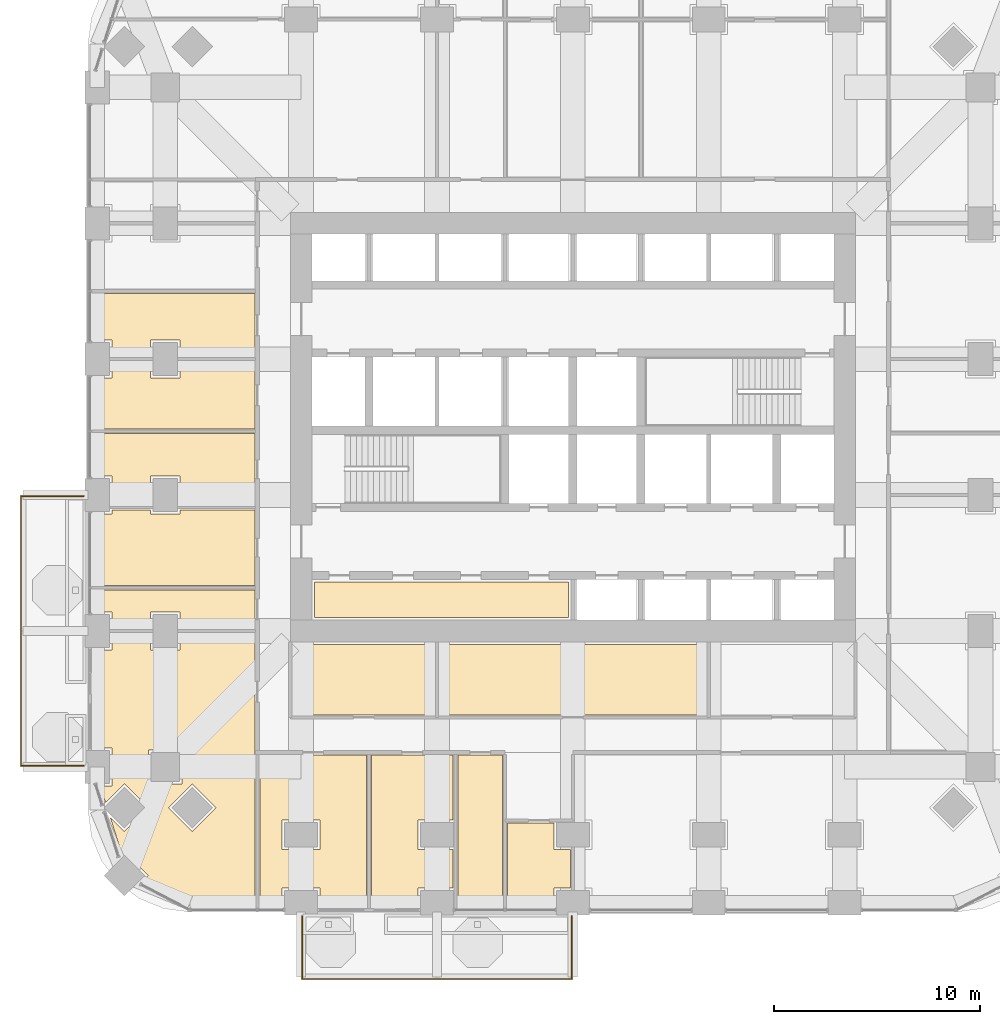
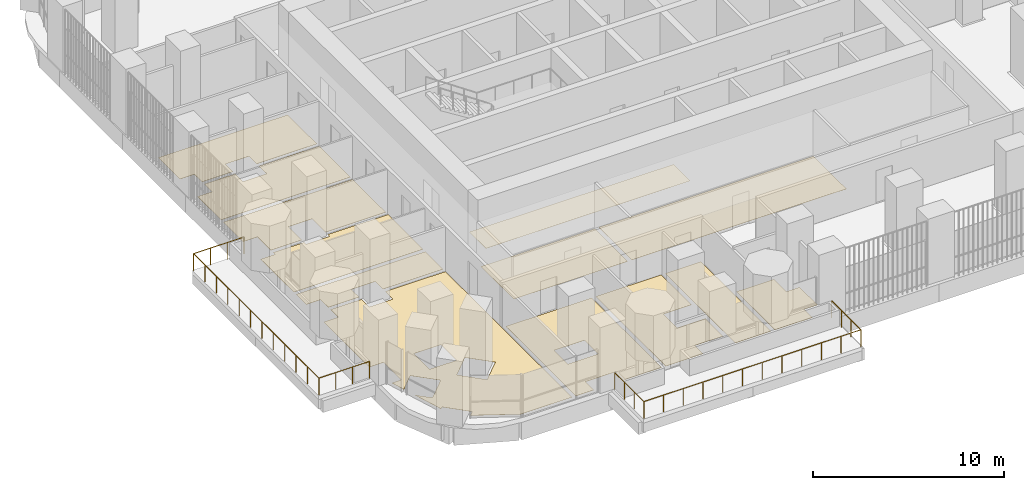
# One storey, part 17 of 21: 13 coverings, 2 railings.
"""IFC4 building model written with IfcOpenShell, lengths in metres."""

from ifc_helpers import new_model, si_unit, direction, frame, origin, place, context, subcontext, project, spatial, polyline, outline, extrude, material, layer, layer_set, type_object, element, save


model = new_model("IFC4")

# Units and contexts
model_context = context("Model", 3, precision=1e-05, world=origin(), true_north=direction((0.0, 1.0)))
body_context = subcontext(model_context, "Body", "Model", "MODEL_VIEW")
ifc_project = project(units=[si_unit("LENGTHUNIT", "METRE"), si_unit("AREAUNIT", "SQUARE_METRE"), si_unit("VOLUMEUNIT", "CUBIC_METRE"), si_unit("PLANEANGLEUNIT", "RADIAN"), si_unit("MASSUNIT", "GRAM", prefix="KILO")], contexts=[model_context])

# Site, building, storey
site_placement = place(None, origin())
site = spatial("IfcSite", under=ifc_project, at=site_placement, CompositionType="ELEMENT")
building_placement = place(site_placement, origin())
building = spatial("IfcBuilding", under=site, at=building_placement, Name="Cobogo Forest Laboratory Tower", CompositionType="ELEMENT")
storey_placement = place(building_placement, frame((0.0, 0.0, 90.60009765625)))
storey = spatial("IfcBuildingStorey", under=building, at=storey_placement, Name="L20", CompositionType="ELEMENT", Elevation=90.60009765625)

# Railings
ifc_material_1 = material(Name="Laminated glass balustrade", Category="glass")
railing_type = type_object("IfcRailingType", Name="BG1 glass balustrade 1100", PredefinedType="GUARDRAIL", material=ifc_material_1)
railing_1_placement = place(storey_placement, frame((13.25, -0.64990234375, 0.0)))
element("IfcRailing", 1, at=railing_1_placement, inside=storey, type_object=railing_type, Name="Balcony balustrade BAL-S1 L20", PredefinedType="GUARDRAIL", context=body_context, shape_type="SweptSolid", body=[
    extrude(outline(polyline([(0.022216796875, 0.00927734375), (0.00927734375, 0.022216796875), (-0.00927734375, 0.022216796875), (-0.022216796875, 0.00927734375), (-0.022216796875, -0.00927734375), (-0.00927734375, -0.022216796875), (0.00927734375, -0.022216796875), (0.022216796875, -0.00927734375), (0.022216796875, 0.00927734375)])), frame((0.0, 0.0, 1.077880859375), z_axis=(0.0, -1.0, 0.0), x_axis=(1.0, 0.0, 0.0)), (0.0, 0.0, 1.0), 3.050048828125),
    extrude(outline(polyline([(0.022216796875, 0.00927734375), (0.00927734375, 0.022216796875), (-0.00927734375, 0.022216796875), (-0.022216796875, 0.00927734375), (-0.022216796875, -0.00927734375), (-0.00927734375, -0.022216796875), (0.00927734375, -0.022216796875), (0.022216796875, -0.00927734375), (0.022216796875, 0.00927734375)])), frame((0.0, -3.050048828125, 1.077880859375), z_axis=(1.0, 0.0, 0.0), x_axis=(0.0, 1.0, 0.0)), (0.0, 0.0, 1.0), 13.10009765625),
    extrude(outline(polyline([(0.022216796875, 0.00927734375), (0.00927734375, 0.022216796875), (-0.00927734375, 0.022216796875), (-0.022216796875, 0.00927734375), (-0.022216796875, -0.00927734375), (-0.00927734375, -0.022216796875), (0.00927734375, -0.022216796875), (0.022216796875, -0.00927734375), (0.022216796875, 0.00927734375)])), frame((13.10009765625, -3.050048828125, 1.077880859375), z_axis=(0.0, 1.0, 0.0), x_axis=(-1.0, 0.0, 0.0)), (0.0, 0.0, 1.0), 3.050048828125),
    extrude(outline(polyline([(0.019287109375, 0.008056640625), (0.008056640625, 0.019287109375), (-0.008056640625, 0.019287109375), (-0.019287109375, 0.008056640625), (-0.019287109375, -0.008056640625), (-0.008056640625, -0.019287109375), (0.008056640625, -0.019287109375), (0.019287109375, -0.008056640625), (0.019287109375, 0.008056640625)])), origin(), (0.0, 0.0, 1.0), 1.077880859375),
    extrude(outline(polyline([(0.019287109375, 0.008056640625), (0.008056640625, 0.019287109375), (-0.008056640625, 0.019287109375), (-0.019287109375, 0.008056640625), (-0.019287109375, -0.008056640625), (-0.008056640625, -0.019287109375), (0.008056640625, -0.019287109375), (0.019287109375, -0.008056640625), (0.019287109375, 0.008056640625)])), frame((0.0, -1.0166015625, 0.0)), (0.0, 0.0, 1.0), 1.077880859375),
    extrude(outline(polyline([(0.019287109375, 0.008056640625), (0.008056640625, 0.019287109375), (-0.008056640625, 0.019287109375), (-0.019287109375, 0.008056640625), (-0.019287109375, -0.008056640625), (-0.008056640625, -0.019287109375), (0.008056640625, -0.019287109375), (0.019287109375, -0.008056640625), (0.019287109375, 0.008056640625)])), frame((0.0, -2.033447265625, 0.0)), (0.0, 0.0, 1.0), 1.077880859375),
    extrude(outline(polyline([(0.019287109375, 0.008056640625), (0.008056640625, 0.019287109375), (-0.008056640625, 0.019287109375), (-0.019287109375, 0.008056640625), (-0.019287109375, -0.008056640625), (-0.008056640625, -0.019287109375), (0.008056640625, -0.019287109375), (0.019287109375, -0.008056640625), (0.019287109375, 0.008056640625)])), frame((0.0, -3.050048828125, 0.0)), (0.0, 0.0, 1.0), 1.077880859375),
    extrude(outline(polyline([(0.019287109375, 0.008056640625), (0.008056640625, 0.019287109375), (-0.008056640625, 0.019287109375), (-0.019287109375, 0.008056640625), (-0.019287109375, -0.008056640625), (-0.008056640625, -0.019287109375), (0.008056640625, -0.019287109375), (0.019287109375, -0.008056640625), (0.019287109375, 0.008056640625)])), frame((1.19091796875, -3.050048828125, 0.0)), (0.0, 0.0, 1.0), 1.077880859375),
    extrude(outline(polyline([(0.019287109375, 0.008056640625), (0.008056640625, 0.019287109375), (-0.008056640625, 0.019287109375), (-0.019287109375, 0.008056640625), (-0.019287109375, -0.008056640625), (-0.008056640625, -0.019287109375), (0.008056640625, -0.019287109375), (0.019287109375, -0.008056640625), (0.019287109375, 0.008056640625)])), frame((2.3818359375, -3.050048828125, 0.0)), (0.0, 0.0, 1.0), 1.077880859375),
    extrude(outline(polyline([(0.019287109375, 0.008056640625), (0.008056640625, 0.019287109375), (-0.008056640625, 0.019287109375), (-0.019287109375, 0.008056640625), (-0.019287109375, -0.008056640625), (-0.008056640625, -0.019287109375), (0.008056640625, -0.019287109375), (0.019287109375, -0.008056640625), (0.019287109375, 0.008056640625)])), frame((3.57275390625, -3.050048828125, 0.0)), (0.0, 0.0, 1.0), 1.077880859375),
    extrude(outline(polyline([(0.019287109375, 0.008056640625), (0.008056640625, 0.019287109375), (-0.008056640625, 0.019287109375), (-0.019287109375, 0.008056640625), (-0.019287109375, -0.008056640625), (-0.008056640625, -0.019287109375), (0.008056640625, -0.019287109375), (0.019287109375, -0.008056640625), (0.019287109375, 0.008056640625)])), frame((4.763671875, -3.050048828125, 0.0)), (0.0, 0.0, 1.0), 1.077880859375),
    extrude(outline(polyline([(0.019287109375, 0.008056640625), (0.008056640625, 0.019287109375), (-0.008056640625, 0.019287109375), (-0.019287109375, 0.008056640625), (-0.019287109375, -0.008056640625), (-0.008056640625, -0.019287109375), (0.008056640625, -0.019287109375), (0.019287109375, -0.008056640625), (0.019287109375, 0.008056640625)])), frame((5.95458984375, -3.050048828125, 0.0)), (0.0, 0.0, 1.0), 1.077880859375),
    extrude(outline(polyline([(0.019287109375, 0.008056640625), (0.008056640625, 0.019287109375), (-0.008056640625, 0.019287109375), (-0.019287109375, 0.008056640625), (-0.019287109375, -0.008056640625), (-0.008056640625, -0.019287109375), (0.008056640625, -0.019287109375), (0.019287109375, -0.008056640625), (0.019287109375, 0.008056640625)])), frame((7.1455078125, -3.050048828125, 0.0)), (0.0, 0.0, 1.0), 1.077880859375),
    extrude(outline(polyline([(0.019287109375, 0.008056640625), (0.008056640625, 0.019287109375), (-0.008056640625, 0.019287109375), (-0.019287109375, 0.008056640625), (-0.019287109375, -0.008056640625), (-0.008056640625, -0.019287109375), (0.008056640625, -0.019287109375), (0.019287109375, -0.008056640625), (0.019287109375, 0.008056640625)])), frame((8.33642578125, -3.050048828125, 0.0)), (0.0, 0.0, 1.0), 1.077880859375),
    extrude(outline(polyline([(0.019287109375, 0.008056640625), (0.008056640625, 0.019287109375), (-0.008056640625, 0.019287109375), (-0.019287109375, 0.008056640625), (-0.019287109375, -0.008056640625), (-0.008056640625, -0.019287109375), (0.008056640625, -0.019287109375), (0.019287109375, -0.008056640625), (0.019287109375, 0.008056640625)])), frame((9.52734375, -3.050048828125, 0.0)), (0.0, 0.0, 1.0), 1.077880859375),
    extrude(outline(polyline([(0.019287109375, 0.008056640625), (0.008056640625, 0.019287109375), (-0.008056640625, 0.019287109375), (-0.019287109375, 0.008056640625), (-0.019287109375, -0.008056640625), (-0.008056640625, -0.019287109375), (0.008056640625, -0.019287109375), (0.019287109375, -0.008056640625), (0.019287109375, 0.008056640625)])), frame((10.71826171875, -3.050048828125, 0.0)), (0.0, 0.0, 1.0), 1.077880859375),
    extrude(outline(polyline([(0.019287109375, 0.008056640625), (0.008056640625, 0.019287109375), (-0.008056640625, 0.019287109375), (-0.019287109375, 0.008056640625), (-0.019287109375, -0.008056640625), (-0.008056640625, -0.019287109375), (0.008056640625, -0.019287109375), (0.019287109375, -0.008056640625), (0.019287109375, 0.008056640625)])), frame((11.9091796875, -3.050048828125, 0.0)), (0.0, 0.0, 1.0), 1.077880859375),
    extrude(outline(polyline([(0.019287109375, 0.008056640625), (0.008056640625, 0.019287109375), (-0.008056640625, 0.019287109375), (-0.019287109375, 0.008056640625), (-0.019287109375, -0.008056640625), (-0.008056640625, -0.019287109375), (0.008056640625, -0.019287109375), (0.019287109375, -0.008056640625), (0.019287109375, 0.008056640625)])), frame((13.10009765625, -3.050048828125, 0.0)), (0.0, 0.0, 1.0), 1.077880859375),
    extrude(outline(polyline([(0.019287109375, 0.008056640625), (0.008056640625, 0.019287109375), (-0.008056640625, 0.019287109375), (-0.019287109375, 0.008056640625), (-0.019287109375, -0.008056640625), (-0.008056640625, -0.019287109375), (0.008056640625, -0.019287109375), (0.019287109375, -0.008056640625), (0.019287109375, 0.008056640625)])), frame((13.10009765625, -2.033447265625, 0.0)), (0.0, 0.0, 1.0), 1.077880859375),
    extrude(outline(polyline([(0.019287109375, 0.008056640625), (0.008056640625, 0.019287109375), (-0.008056640625, 0.019287109375), (-0.019287109375, 0.008056640625), (-0.019287109375, -0.008056640625), (-0.008056640625, -0.019287109375), (0.008056640625, -0.019287109375), (0.019287109375, -0.008056640625), (0.019287109375, 0.008056640625)])), frame((13.10009765625, -1.0166015625, 0.0)), (0.0, 0.0, 1.0), 1.077880859375),
    extrude(outline(polyline([(0.019287109375, 0.008056640625), (0.008056640625, 0.019287109375), (-0.008056640625, 0.019287109375), (-0.019287109375, 0.008056640625), (-0.019287109375, -0.008056640625), (-0.008056640625, -0.019287109375), (0.008056640625, -0.019287109375), (0.019287109375, -0.008056640625), (0.019287109375, 0.008056640625)])), frame((13.10009765625, 0.0, 0.0)), (0.0, 0.0, 1.0), 1.077880859375),
])
railing_2_placement = place(storey_placement, frame((2.64990234375, 6.64990234375, 0.0)))
element("IfcRailing", 2, at=railing_2_placement, inside=storey, type_object=railing_type, Name="Balcony balustrade BAL-W1 L20", PredefinedType="GUARDRAIL", context=body_context, shape_type="SweptSolid", body=[
    extrude(outline(polyline([(0.022216796875, 0.00927734375), (0.00927734375, 0.022216796875), (-0.00927734375, 0.022216796875), (-0.022216796875, 0.00927734375), (-0.022216796875, -0.00927734375), (-0.00927734375, -0.022216796875), (0.00927734375, -0.022216796875), (0.022216796875, -0.00927734375), (0.022216796875, 0.00927734375)])), frame((0.0, 0.0, 1.077880859375), z_axis=(-1.0, 0.0, 0.0), x_axis=(0.0, -1.0, 0.0)), (0.0, 0.0, 1.0), 3.0498046875),
    extrude(outline(polyline([(0.022216796875, 0.00927734375), (0.00927734375, 0.022216796875), (-0.00927734375, 0.022216796875), (-0.022216796875, 0.00927734375), (-0.022216796875, -0.00927734375), (-0.00927734375, -0.022216796875), (0.00927734375, -0.022216796875), (0.022216796875, -0.00927734375), (0.022216796875, 0.00927734375)])), frame((-3.0498046875, 0.0, 1.077880859375), z_axis=(0.0, 1.0, 0.0), x_axis=(-1.0, 0.0, 0.0)), (0.0, 0.0, 1.0), 13.10009765625),
    extrude(outline(polyline([(0.022216796875, 0.00927734375), (0.00927734375, 0.022216796875), (-0.00927734375, 0.022216796875), (-0.022216796875, 0.00927734375), (-0.022216796875, -0.00927734375), (-0.00927734375, -0.022216796875), (0.00927734375, -0.022216796875), (0.022216796875, -0.00927734375), (0.022216796875, 0.00927734375)])), frame((-3.0498046875, 13.10009765625, 1.077880859375), z_axis=(1.0, 0.0, 0.0), x_axis=(0.0, 1.0, 0.0)), (0.0, 0.0, 1.0), 3.0498046875),
    extrude(outline(polyline([(0.019287109375, 0.008056640625), (0.008056640625, 0.019287109375), (-0.008056640625, 0.019287109375), (-0.019287109375, 0.008056640625), (-0.019287109375, -0.008056640625), (-0.008056640625, -0.019287109375), (0.008056640625, -0.019287109375), (0.019287109375, -0.008056640625), (0.019287109375, 0.008056640625)])), origin(), (0.0, 0.0, 1.0), 1.077880859375),
    extrude(outline(polyline([(0.019287109375, 0.008056640625), (0.008056640625, 0.019287109375), (-0.008056640625, 0.019287109375), (-0.019287109375, 0.008056640625), (-0.019287109375, -0.008056640625), (-0.008056640625, -0.019287109375), (0.008056640625, -0.019287109375), (0.019287109375, -0.008056640625), (0.019287109375, 0.008056640625)])), frame((-1.0166015625, 0.0, 0.0)), (0.0, 0.0, 1.0), 1.077880859375),
    extrude(outline(polyline([(0.019287109375, 0.008056640625), (0.008056640625, 0.019287109375), (-0.008056640625, 0.019287109375), (-0.019287109375, 0.008056640625), (-0.019287109375, -0.008056640625), (-0.008056640625, -0.019287109375), (0.008056640625, -0.019287109375), (0.019287109375, -0.008056640625), (0.019287109375, 0.008056640625)])), frame((-2.033203125, 0.0, 0.0)), (0.0, 0.0, 1.0), 1.077880859375),
    extrude(outline(polyline([(0.019287109375, 0.008056640625), (0.008056640625, 0.019287109375), (-0.008056640625, 0.019287109375), (-0.019287109375, 0.008056640625), (-0.019287109375, -0.008056640625), (-0.008056640625, -0.019287109375), (0.008056640625, -0.019287109375), (0.019287109375, -0.008056640625), (0.019287109375, 0.008056640625)])), frame((-3.0498046875, 0.0, 0.0)), (0.0, 0.0, 1.0), 1.077880859375),
    extrude(outline(polyline([(0.019287109375, 0.008056640625), (0.008056640625, 0.019287109375), (-0.008056640625, 0.019287109375), (-0.019287109375, 0.008056640625), (-0.019287109375, -0.008056640625), (-0.008056640625, -0.019287109375), (0.008056640625, -0.019287109375), (0.019287109375, -0.008056640625), (0.019287109375, 0.008056640625)])), frame((-3.0498046875, 1.19091796875, 0.0)), (0.0, 0.0, 1.0), 1.077880859375),
    extrude(outline(polyline([(0.019287109375, 0.008056640625), (0.008056640625, 0.019287109375), (-0.008056640625, 0.019287109375), (-0.019287109375, 0.008056640625), (-0.019287109375, -0.008056640625), (-0.008056640625, -0.019287109375), (0.008056640625, -0.019287109375), (0.019287109375, -0.008056640625), (0.019287109375, 0.008056640625)])), frame((-3.0498046875, 2.3818359375, 0.0)), (0.0, 0.0, 1.0), 1.077880859375),
    extrude(outline(polyline([(0.019287109375, 0.008056640625), (0.008056640625, 0.019287109375), (-0.008056640625, 0.019287109375), (-0.019287109375, 0.008056640625), (-0.019287109375, -0.008056640625), (-0.008056640625, -0.019287109375), (0.008056640625, -0.019287109375), (0.019287109375, -0.008056640625), (0.019287109375, 0.008056640625)])), frame((-3.0498046875, 3.57275390625, 0.0)), (0.0, 0.0, 1.0), 1.077880859375),
    extrude(outline(polyline([(0.019287109375, 0.008056640625), (0.008056640625, 0.019287109375), (-0.008056640625, 0.019287109375), (-0.019287109375, 0.008056640625), (-0.019287109375, -0.008056640625), (-0.008056640625, -0.019287109375), (0.008056640625, -0.019287109375), (0.019287109375, -0.008056640625), (0.019287109375, 0.008056640625)])), frame((-3.0498046875, 4.763671875, 0.0)), (0.0, 0.0, 1.0), 1.077880859375),
    extrude(outline(polyline([(0.019287109375, 0.008056640625), (0.008056640625, 0.019287109375), (-0.008056640625, 0.019287109375), (-0.019287109375, 0.008056640625), (-0.019287109375, -0.008056640625), (-0.008056640625, -0.019287109375), (0.008056640625, -0.019287109375), (0.019287109375, -0.008056640625), (0.019287109375, 0.008056640625)])), frame((-3.0498046875, 5.95458984375, 0.0)), (0.0, 0.0, 1.0), 1.077880859375),
    extrude(outline(polyline([(0.019287109375, 0.008056640625), (0.008056640625, 0.019287109375), (-0.008056640625, 0.019287109375), (-0.019287109375, 0.008056640625), (-0.019287109375, -0.008056640625), (-0.008056640625, -0.019287109375), (0.008056640625, -0.019287109375), (0.019287109375, -0.008056640625), (0.019287109375, 0.008056640625)])), frame((-3.0498046875, 7.1455078125, 0.0)), (0.0, 0.0, 1.0), 1.077880859375),
    extrude(outline(polyline([(0.019287109375, 0.008056640625), (0.008056640625, 0.019287109375), (-0.008056640625, 0.019287109375), (-0.019287109375, 0.008056640625), (-0.019287109375, -0.008056640625), (-0.008056640625, -0.019287109375), (0.008056640625, -0.019287109375), (0.019287109375, -0.008056640625), (0.019287109375, 0.008056640625)])), frame((-3.0498046875, 8.33642578125, 0.0)), (0.0, 0.0, 1.0), 1.077880859375),
    extrude(outline(polyline([(0.019287109375, 0.008056640625), (0.008056640625, 0.019287109375), (-0.008056640625, 0.019287109375), (-0.019287109375, 0.008056640625), (-0.019287109375, -0.008056640625), (-0.008056640625, -0.019287109375), (0.008056640625, -0.019287109375), (0.019287109375, -0.008056640625), (0.019287109375, 0.008056640625)])), frame((-3.0498046875, 9.52734375, 0.0)), (0.0, 0.0, 1.0), 1.077880859375),
    extrude(outline(polyline([(0.019287109375, 0.008056640625), (0.008056640625, 0.019287109375), (-0.008056640625, 0.019287109375), (-0.019287109375, 0.008056640625), (-0.019287109375, -0.008056640625), (-0.008056640625, -0.019287109375), (0.008056640625, -0.019287109375), (0.019287109375, -0.008056640625), (0.019287109375, 0.008056640625)])), frame((-3.0498046875, 10.71826171875, 0.0)), (0.0, 0.0, 1.0), 1.077880859375),
    extrude(outline(polyline([(0.019287109375, 0.008056640625), (0.008056640625, 0.019287109375), (-0.008056640625, 0.019287109375), (-0.019287109375, 0.008056640625), (-0.019287109375, -0.008056640625), (-0.008056640625, -0.019287109375), (0.008056640625, -0.019287109375), (0.019287109375, -0.008056640625), (0.019287109375, 0.008056640625)])), frame((-3.0498046875, 11.9091796875, 0.0)), (0.0, 0.0, 1.0), 1.077880859375),
    extrude(outline(polyline([(0.019287109375, 0.008056640625), (0.008056640625, 0.019287109375), (-0.008056640625, 0.019287109375), (-0.019287109375, 0.008056640625), (-0.019287109375, -0.008056640625), (-0.008056640625, -0.019287109375), (0.008056640625, -0.019287109375), (0.019287109375, -0.008056640625), (0.019287109375, 0.008056640625)])), frame((-3.0498046875, 13.10009765625, 0.0)), (0.0, 0.0, 1.0), 1.077880859375),
    extrude(outline(polyline([(0.019287109375, 0.008056640625), (0.008056640625, 0.019287109375), (-0.008056640625, 0.019287109375), (-0.019287109375, 0.008056640625), (-0.019287109375, -0.008056640625), (-0.008056640625, -0.019287109375), (0.008056640625, -0.019287109375), (0.019287109375, -0.008056640625), (0.019287109375, 0.008056640625)])), frame((-2.033203125, 13.10009765625, 0.0)), (0.0, 0.0, 1.0), 1.077880859375),
    extrude(outline(polyline([(0.019287109375, 0.008056640625), (0.008056640625, 0.019287109375), (-0.008056640625, 0.019287109375), (-0.019287109375, 0.008056640625), (-0.019287109375, -0.008056640625), (-0.008056640625, -0.019287109375), (0.008056640625, -0.019287109375), (0.019287109375, -0.008056640625), (0.019287109375, 0.008056640625)])), frame((-1.0166015625, 13.10009765625, 0.0)), (0.0, 0.0, 1.0), 1.077880859375),
    extrude(outline(polyline([(0.019287109375, 0.008056640625), (0.008056640625, 0.019287109375), (-0.008056640625, 0.019287109375), (-0.019287109375, 0.008056640625), (-0.019287109375, -0.008056640625), (-0.008056640625, -0.019287109375), (0.008056640625, -0.019287109375), (0.019287109375, -0.008056640625), (0.019287109375, 0.008056640625)])), frame((0.0, 13.10009765625, 0.0)), (0.0, 0.0, 1.0), 1.077880859375),
])

# Coverings
ifc_material_2 = material(Name="Carpet tile on raised access floor", Category="flooring")
ifc_layer_1 = layer(ifc_material_2, 0.008056640625)
ifc_layer_set_1 = layer_set([ifc_layer_1], Name="CT1 carpet tile floor 8")
covering_type_1 = type_object("IfcCoveringType", Name="CT1 carpet tile floor 8", PredefinedType="FLOORING", material=ifc_layer_set_1)
covering_1_placement = place(storey_placement, origin())
element("IfcCovering", 3, at=covering_1_placement, inside=storey, type_object=covering_type_1, Name="Carpet floor L20-05", PredefinedType="FLOORING", context=body_context, shape_type="SweptSolid", body=[
    extrude(outline(polyline([(18.8798828125, 4.02001953125), (18.8798828125, 2.580078125), (20.580078125, 2.580078125), (20.580078125, 0.719970703125), (18.8798828125, 0.719970703125), (18.8798828125, -0.14990234375), (16.6201171875, -0.14990234375), (16.6201171875, 7.179931640625), (20.580078125, 7.179931640625), (20.580078125, 4.02001953125), (18.8798828125, 4.02001953125)])), origin(), (0.0, 0.0, 1.0), 0.0078125),
])
covering_2_placement = place(storey_placement, origin())
element("IfcCovering", 4, at=covering_2_placement, inside=storey, type_object=covering_type_1, Name="Carpet floor L20-22", PredefinedType="FLOORING", context=body_context, shape_type="SweptSolid", body=[
    extrude(outline(polyline([(10.955078125, -0.14990234375), (7.84912109375, -0.14990234375), (5.527099609375, 1.0673828125), (5.777587890625, 1.318115234375), (4.617919921875, 2.477783203125), (4.4990234375, 2.358642578125), (3.936767578125, 4.1396484375), (4.617919921875, 3.458251953125), (5.777587890625, 4.617919921875), (4.617919921875, 5.777587890625), (3.70703125, 4.86669921875), (3.4501953125, 5.679931640625), (4.02001953125, 5.679931640625), (4.02001953125, 7.52001953125), (3.14990234375, 7.52001953125), (3.14990234375, 12.280029296875), (4.02001953125, 12.280029296875), (4.02001953125, 13.080078125), (5.8798828125, 13.080078125), (5.8798828125, 12.280029296875), (7.320068359375, 12.280029296875), (7.320068359375, 13.080078125), (10.955078125, 13.080078125), (10.955078125, -0.14990234375)]), holes=[polyline([(6.75830078125, 4.617919921875), (7.91796875, 3.458251953125), (9.07763671875, 4.617919921875), (7.91796875, 5.777587890625), (6.75830078125, 4.617919921875)]), polyline([(5.780029296875, 7.419921875), (5.780029296875, 5.780029296875), (7.419921875, 5.780029296875), (7.419921875, 7.419921875), (5.780029296875, 7.419921875)])]), origin(), (0.0, 0.0, 1.0), 0.0078125),
])
covering_3_placement = place(storey_placement, origin())
element("IfcCovering", 5, at=covering_3_placement, inside=storey, type_object=covering_type_1, Name="Carpet floor L20-27", PredefinedType="FLOORING", context=body_context, shape_type="SweptSolid", body=[
    extrude(outline(polyline([(10.955078125, 26.52001953125), (7.320068359375, 26.52001953125), (7.320068359375, 27.320068359375), (5.8798828125, 27.320068359375), (5.8798828125, 26.52001953125), (4.02001953125, 26.52001953125), (4.02001953125, 27.320068359375), (3.14990234375, 27.320068359375), (3.14990234375, 29.580078125), (10.955078125, 29.580078125), (10.955078125, 26.52001953125)])), origin(), (0.0, 0.0, 1.0), 0.0078125),
])
covering_4_placement = place(storey_placement, origin())
element("IfcCovering", 6, at=covering_4_placement, inside=storey, type_object=covering_type_1, Name="Carpet floor L20-37", PredefinedType="FLOORING", context=body_context, shape_type="SweptSolid", body=[
    extrude(outline(polyline([(26.179931640625, 13.844970703125), (13.844970703125, 13.844970703125), (13.844970703125, 15.580078125), (26.179931640625, 15.580078125), (26.179931640625, 13.844970703125)])), origin(), (0.0, 0.0, 1.0), 0.0078125),
])
ifc_material_3 = material(Name="Epoxy resin flooring", Category="flooring")
ifc_layer_2 = layer(ifc_material_3, 0.00390625)
ifc_layer_set_2 = layer_set([ifc_layer_2], Name="LF1 epoxy laboratory floor 4")
covering_type_2 = type_object("IfcCoveringType", Name="LF1 epoxy laboratory floor 4", PredefinedType="FLOORING", material=ifc_layer_set_2)
covering_5_placement = place(storey_placement, origin())
element("IfcCovering", 7, at=covering_5_placement, inside=storey, type_object=covering_type_2, Name="Epoxy laboratory floor L20-01", PredefinedType="FLOORING", context=body_context, shape_type="SweptSolid", body=[
    extrude(outline(polyline([(19.679931640625, 9.1201171875), (12.794921875, 9.1201171875), (12.794921875, 12.554931640625), (19.679931640625, 12.554931640625), (19.679931640625, 9.1201171875)])), origin(), (0.0, 0.0, 1.0), 0.00390625),
])
covering_6_placement = place(storey_placement, origin())
element("IfcCovering", 8, at=covering_6_placement, inside=storey, type_object=covering_type_2, Name="Epoxy laboratory floor L20-04", PredefinedType="FLOORING", context=body_context, shape_type="SweptSolid", body=[
    extrude(outline(polyline([(16.3798828125, 7.179931640625), (16.3798828125, -0.14990234375), (14.1201171875, -0.14990234375), (14.1201171875, 0.719970703125), (12.280029296875, 0.719970703125), (12.280029296875, -0.14990234375), (11.195068359375, -0.14990234375), (11.195068359375, 7.179931640625), (16.3798828125, 7.179931640625)]), holes=[polyline([(12.280029296875, 4.02001953125), (12.280029296875, 2.580078125), (14.1201171875, 2.580078125), (14.1201171875, 4.02001953125), (12.280029296875, 4.02001953125)])]), origin(), (0.0, 0.0, 1.0), 0.00390625),
])
ifc_material_4 = material(Name="Ceramic floor tile", Category="flooring")
ifc_layer_3 = layer(ifc_material_4, 0.010009765625)
ifc_layer_set_3 = layer_set([ifc_layer_3], Name="TF1 ceramic tile floor 10")
covering_type_3 = type_object("IfcCoveringType", Name="TF1 ceramic tile floor 10", PredefinedType="FLOORING", material=ifc_layer_set_3)
covering_7_placement = place(storey_placement, origin())
element("IfcCovering", 9, at=covering_7_placement, inside=storey, type_object=covering_type_3, Name="Tile floor L20-02", PredefinedType="FLOORING", context=body_context, shape_type="SweptSolid", body=[
    extrude(outline(polyline([(32.8798828125, 9.1201171875), (19.919921875, 9.1201171875), (19.919921875, 12.554931640625), (32.8798828125, 12.554931640625), (32.8798828125, 9.1201171875)])), origin(), (0.0, 0.0, 1.0), 0.010009765625),
])
covering_8_placement = place(storey_placement, origin())
element("IfcCovering", 10, at=covering_8_placement, inside=storey, type_object=covering_type_3, Name="Tile floor L20-06", PredefinedType="FLOORING", context=body_context, shape_type="SweptSolid", body=[
    extrude(outline(polyline([(20.820068359375, 7.179931640625), (22.97998046875, 7.179931640625), (22.97998046875, -0.14990234375), (20.820068359375, -0.14990234375), (20.820068359375, 7.179931640625)])), origin(), (0.0, 0.0, 1.0), 0.010009765625),
])
covering_9_placement = place(storey_placement, origin())
element("IfcCovering", 11, at=covering_9_placement, inside=storey, type_object=covering_type_3, Name="Tile floor L20-07", PredefinedType="FLOORING", context=body_context, shape_type="SweptSolid", body=[
    extrude(outline(polyline([(25.47998046875, 3.8798828125), (25.47998046875, 2.580078125), (26.280029296875, 2.580078125), (26.280029296875, 0.719970703125), (25.47998046875, 0.719970703125), (25.47998046875, -0.14990234375), (23.219970703125, -0.14990234375), (23.219970703125, 3.8798828125), (25.47998046875, 3.8798828125)])), origin(), (0.0, 0.0, 1.0), 0.010009765625),
])
covering_10_placement = place(storey_placement, origin())
element("IfcCovering", 12, at=covering_10_placement, inside=storey, type_object=covering_type_3, Name="Tile floor L20-23", PredefinedType="FLOORING", context=body_context, shape_type="SweptSolid", body=[
    extrude(outline(polyline([(10.955078125, 13.320068359375), (7.320068359375, 13.320068359375), (7.320068359375, 14.1201171875), (5.8798828125, 14.1201171875), (5.8798828125, 13.320068359375), (4.02001953125, 13.320068359375), (4.02001953125, 14.1201171875), (3.14990234375, 14.1201171875), (3.14990234375, 15.179931640625), (10.955078125, 15.179931640625), (10.955078125, 13.320068359375)])), origin(), (0.0, 0.0, 1.0), 0.010009765625),
])
covering_11_placement = place(storey_placement, origin())
element("IfcCovering", 13, at=covering_11_placement, inside=storey, type_object=covering_type_3, Name="Tile floor L20-24", PredefinedType="FLOORING", context=body_context, shape_type="SweptSolid", body=[
    extrude(outline(polyline([(10.955078125, 15.419921875), (3.14990234375, 15.419921875), (3.14990234375, 18.8798828125), (4.02001953125, 18.8798828125), (4.02001953125, 19.080078125), (5.8798828125, 19.080078125), (5.8798828125, 18.8798828125), (7.320068359375, 18.8798828125), (7.320068359375, 19.080078125), (10.955078125, 19.080078125), (10.955078125, 15.419921875)])), origin(), (0.0, 0.0, 1.0), 0.010009765625),
])
covering_12_placement = place(storey_placement, origin())
element("IfcCovering", 14, at=covering_12_placement, inside=storey, type_object=covering_type_3, Name="Tile floor L20-25", PredefinedType="FLOORING", context=body_context, shape_type="SweptSolid", body=[
    extrude(outline(polyline([(10.955078125, 19.320068359375), (7.320068359375, 19.320068359375), (7.320068359375, 20.719970703125), (5.8798828125, 20.719970703125), (5.8798828125, 19.320068359375), (4.02001953125, 19.320068359375), (4.02001953125, 20.719970703125), (3.14990234375, 20.719970703125), (3.14990234375, 22.780029296875), (10.955078125, 22.780029296875), (10.955078125, 19.320068359375)])), origin(), (0.0, 0.0, 1.0), 0.010009765625),
])
covering_13_placement = place(storey_placement, origin())
element("IfcCovering", 15, at=covering_13_placement, inside=storey, type_object=covering_type_3, Name="Tile floor L20-26", PredefinedType="FLOORING", context=body_context, shape_type="SweptSolid", body=[
    extrude(outline(polyline([(10.955078125, 23.02001953125), (3.14990234375, 23.02001953125), (3.14990234375, 25.47998046875), (4.02001953125, 25.47998046875), (4.02001953125, 26.280029296875), (5.8798828125, 26.280029296875), (5.8798828125, 25.47998046875), (7.320068359375, 25.47998046875), (7.320068359375, 26.280029296875), (10.955078125, 26.280029296875), (10.955078125, 23.02001953125)])), origin(), (0.0, 0.0, 1.0), 0.010009765625),
])

save(model, "model.ifc")
